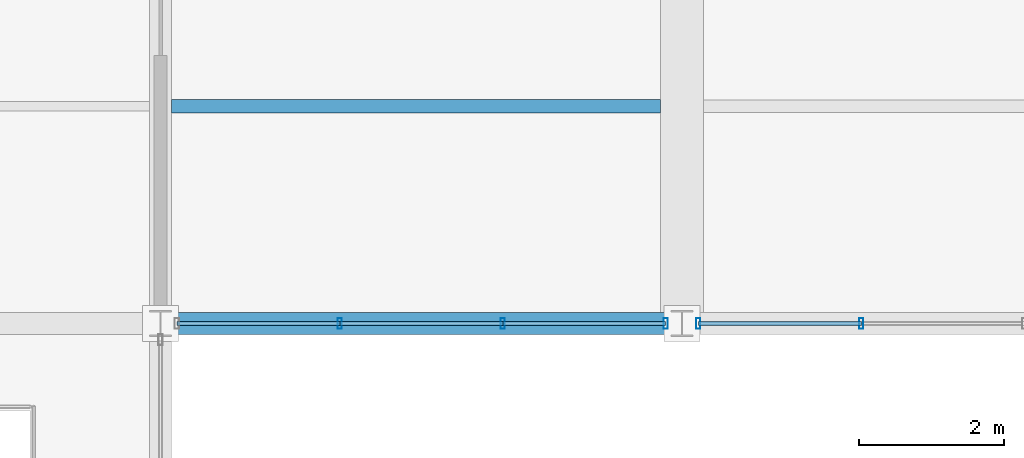
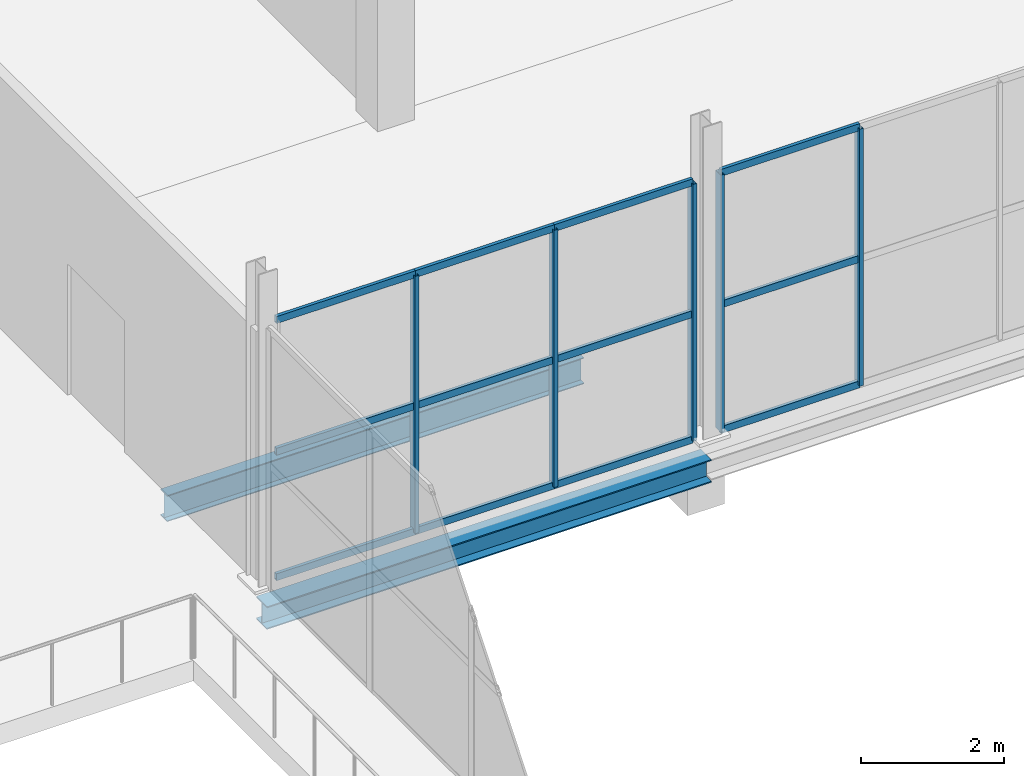
# One storey, part 42 of 141: 17 members, 2 beams, 2 elements without a shape of their own.
"""IFC4 building model written with IfcOpenShell, lengths in metres."""

from ifc_helpers import new_model, si_unit, direction, frame, origin, origin_2d, place, context, subcontext, project, spatial, hollow_rectangle, i_section, extrude, material, layer, layer_set, material_profile, profile_set, type_object, element, aggregate, save


model = new_model("IFC4")

# Units and contexts
model_context = context("Model", 3, precision=1e-05, world=origin(), true_north=direction((0.0, 1.0)))
body_context = subcontext(model_context, "Body", "Model", "MODEL_VIEW")
ifc_project = project(units=[si_unit("LENGTHUNIT", "METRE"), si_unit("AREAUNIT", "SQUARE_METRE"), si_unit("VOLUMEUNIT", "CUBIC_METRE"), si_unit("PLANEANGLEUNIT", "RADIAN"), si_unit("MASSUNIT", "GRAM", prefix="KILO")], contexts=[model_context])

# Site, building, storey
site_placement = place(None, origin())
site = spatial("IfcSite", under=ifc_project, at=site_placement, CompositionType="ELEMENT")
building_placement = place(site_placement, origin())
building = spatial("IfcBuilding", under=site, at=building_placement, Name="Sundgate Opera House", CompositionType="ELEMENT")
storey_placement = place(building_placement, frame((0.0, 0.0, 11.39990234375)))
storey = spatial("IfcBuildingStorey", under=building, at=storey_placement, Name="L02", CompositionType="ELEMENT", Elevation=11.39990234375)

# Beams
ifc_material_1 = material(Name="Steel S355J2", Category="steel")
ifc_material_profile_1 = material_profile(ifc_material_1, i_section(OverallWidth=0.300048828125, OverallDepth=0.389892578125, WebThickness=0.010986328125, FlangeThickness=0.01904296875, at=origin_2d()), Name="HEA 400")
ifc_profile_set_1 = profile_set([ifc_material_profile_1], Name="Steel S355J2")
beam_type_1 = type_object("IfcBeamType", Name="BM-GR-HEA400", PredefinedType="BEAM", material=ifc_profile_set_1)
beam_1_placement = place(storey_placement, frame((117.0, 60.0, -0.544921875), z_axis=(1.0, 0.0, 0.0), x_axis=(0.0, 1.0, 0.0)))
element("IfcBeam", 1, at=beam_1_placement, inside=storey, type_object=beam_type_1, Name="L02 Primary E-W Girder B2028", PredefinedType="BEAM", context=body_context, shape_type="SweptSolid", body=[
    extrude(i_section(OverallWidth=0.300048828125, OverallDepth=0.389892578125, WebThickness=0.010986328125, FlangeThickness=0.01904296875, at=origin_2d()), origin(), (0.0, 0.0, 1.0), 7.199951171875),
])
ifc_material_2 = material(Name="Steel S355J2", Category="steel")
ifc_material_profile_2 = material_profile(ifc_material_2, i_section(OverallWidth=0.18994140625, OverallDepth=0.449951171875, WebThickness=0.009521484375, FlangeThickness=0.0146484375, at=origin_2d()), Name="IPE 450")
ifc_profile_set_2 = profile_set([ifc_material_profile_2], Name="Steel S355J2")
beam_type_2 = type_object("IfcBeamType", Name="BM-JS-IPE450", PredefinedType="JOIST", material=ifc_profile_set_2)
beam_2_placement = place(storey_placement, frame((117.14990234375, 63.0, -0.574951171875), z_axis=(1.0, 0.0, 0.0), x_axis=(0.0, 1.0, 0.0)))
element("IfcBeam", 2, at=beam_2_placement, inside=storey, type_object=beam_type_2, Name="L02 Secondary Floor Joist B2269", PredefinedType="JOIST", context=body_context, shape_type="SweptSolid", body=[
    extrude(i_section(OverallWidth=0.18994140625, OverallDepth=0.449951171875, WebThickness=0.009521484375, FlangeThickness=0.0146484375, at=origin_2d()), origin(), (0.0, 0.0, 1.0), 6.75),
])

# Curtain wall, members
ifc_material_3 = material(Name="Anodized aluminium and low-iron glass", Category="aluminium")
ifc_layer = layer(ifc_material_3, 0.159912109375)
ifc_layer_set = layer_set([ifc_layer], Name="Anodized aluminium and low-iron glass")
curtain_wall_type = type_object("IfcCurtainWallType", Name="CW-STUDIO-DARK", PredefinedType="NOTDEFINED", material=ifc_layer_set)
curtain_wall_1_placement = place(storey_placement, origin())
curtain_wall_1 = element("IfcCurtainWall", 3, at=curtain_wall_1_placement, inside=storey, type_object=curtain_wall_type, Name="L02 Curtain Wall CW071", PredefinedType="NOTDEFINED")
ifc_material_4 = material(Name="Anodized aluminium EN AW-6063", Category="aluminium")
ifc_material_profile_3 = material_profile(ifc_material_4, hollow_rectangle(XDim=0.06005859375, YDim=0.14990234375, WallThickness=0.00390625, at=origin_2d()), Name="CWM 150x60x4")
ifc_profile_set_3 = profile_set([ifc_material_profile_3], Name="Anodized aluminium EN AW-6063")
member_type_1 = type_object("IfcMemberType", Name="CWM-ALU-150x60", PredefinedType="MULLION", material=ifc_profile_set_3)
member_1_placement = place(storey_placement, frame((123.97509765625, 60.0, 0.0), z_axis=(0.0, 0.0, 1.0), x_axis=(1.0, 0.0, 0.0)))
member_1 = element("IfcMember", 4, at=member_1_placement, type_object=member_type_1, Name="CW071 Mullion 1", PredefinedType="MULLION", context=body_context, shape_type="SweptSolid", body=[
    extrude(hollow_rectangle(XDim=0.06005859375, YDim=0.14990234375, WallThickness=0.00390625, at=origin_2d()), origin(), (0.0, 0.0, 1.0), 4.405029296875),
])
member_2_placement = place(storey_placement, frame((121.72509765625, 60.0, 0.0), z_axis=(0.0, 0.0, 1.0), x_axis=(1.0, 0.0, 0.0)))
member_2 = element("IfcMember", 5, at=member_2_placement, type_object=member_type_1, Name="CW071 Mullion 2", PredefinedType="MULLION", context=body_context, shape_type="SweptSolid", body=[
    extrude(hollow_rectangle(XDim=0.06005859375, YDim=0.14990234375, WallThickness=0.00390625, at=origin_2d()), origin(), (0.0, 0.0, 1.0), 4.405029296875),
])
member_3_placement = place(storey_placement, frame((119.47509765625, 60.0, 0.0), z_axis=(0.0, 0.0, 1.0), x_axis=(1.0, 0.0, 0.0)))
member_3 = element("IfcMember", 6, at=member_3_placement, type_object=member_type_1, Name="CW071 Mullion 3", PredefinedType="MULLION", context=body_context, shape_type="SweptSolid", body=[
    extrude(hollow_rectangle(XDim=0.06005859375, YDim=0.14990234375, WallThickness=0.00390625, at=origin_2d()), origin(), (0.0, 0.0, 1.0), 4.405029296875),
])

curtain_wall_2_placement = place(storey_placement, origin())
curtain_wall_2 = element("IfcCurtainWall", 7, at=curtain_wall_2_placement, inside=storey, type_object=curtain_wall_type, Name="L02 Curtain Wall CW073", PredefinedType="NOTDEFINED")
member_4_placement = place(storey_placement, frame((126.675048828125, 60.0, 0.0), z_axis=(0.0, 0.0, 1.0), x_axis=(1.0, 0.0, 0.0)))
member_4 = element("IfcMember", 8, at=member_4_placement, type_object=member_type_1, Name="CW073 Mullion 3", PredefinedType="MULLION", context=body_context, shape_type="SweptSolid", body=[
    extrude(hollow_rectangle(XDim=0.06005859375, YDim=0.14990234375, WallThickness=0.00390625, at=origin_2d()), origin(), (0.0, 0.0, 1.0), 4.405029296875),
])
member_5_placement = place(storey_placement, frame((124.425048828125, 60.0, 0.0), z_axis=(0.0, 0.0, 1.0), x_axis=(1.0, 0.0, 0.0)))
member_5 = element("IfcMember", 9, at=member_5_placement, type_object=member_type_1, Name="CW073 Mullion 4", PredefinedType="MULLION", context=body_context, shape_type="SweptSolid", body=[
    extrude(hollow_rectangle(XDim=0.06005859375, YDim=0.14990234375, WallThickness=0.00390625, at=origin_2d()), origin(), (0.0, 0.0, 1.0), 4.405029296875),
])

# Member
ifc_material_5 = material(Name="Anodized aluminium EN AW-6063", Category="aluminium")
ifc_material_profile_4 = material_profile(ifc_material_5, hollow_rectangle(XDim=0.054931640625, YDim=0.1201171875, WallThickness=0.00390625, at=origin_2d()), Name="CWT 120x55x4")
ifc_profile_set_4 = profile_set([ifc_material_profile_4], Name="Anodized aluminium EN AW-6063")
member_type_2 = type_object("IfcMemberType", Name="CWT-ALU-120x55", PredefinedType="USERDEFINED", material=ifc_profile_set_4)
member_6_placement = place(storey_placement, frame((123.97509765625, 60.0, 0.0), z_axis=(-1.0, 0.0, 0.0), x_axis=(0.0, -1.0, 0.0)))
member_6 = element("IfcMember", 10, at=member_6_placement, type_object=member_type_2, Name="CW071 Transom 1", ObjectType="TRANSOM", PredefinedType="USERDEFINED", context=body_context, shape_type="SweptSolid", body=[
    extrude(hollow_rectangle(XDim=0.054931640625, YDim=0.1201171875, WallThickness=0.00390625, at=origin_2d()), origin(), (0.0, 0.0, 1.0), 2.25),
])

member_7_placement = place(storey_placement, frame((123.97509765625, 60.0, 2.150146484375), z_axis=(-1.0, 0.0, 0.0), x_axis=(0.0, -1.0, 0.0)))
member_7 = element("IfcMember", 11, at=member_7_placement, type_object=member_type_2, Name="CW071 Transom 2", ObjectType="TRANSOM", PredefinedType="USERDEFINED", context=body_context, shape_type="SweptSolid", body=[
    extrude(hollow_rectangle(XDim=0.054931640625, YDim=0.1201171875, WallThickness=0.00390625, at=origin_2d()), origin(), (0.0, 0.0, 1.0), 2.25),
])

member_8_placement = place(storey_placement, frame((123.97509765625, 60.0, 4.405029296875), z_axis=(-1.0, 0.0, 0.0), x_axis=(0.0, -1.0, 0.0)))
member_8 = element("IfcMember", 12, at=member_8_placement, type_object=member_type_2, Name="CW071 Transom 3", ObjectType="TRANSOM", PredefinedType="USERDEFINED", context=body_context, shape_type="SweptSolid", body=[
    extrude(hollow_rectangle(XDim=0.054931640625, YDim=0.1201171875, WallThickness=0.00390625, at=origin_2d()), origin(), (0.0, 0.0, 1.0), 2.25),
])

member_9_placement = place(storey_placement, frame((121.72509765625, 60.0, 0.0), z_axis=(-1.0, 0.0, 0.0), x_axis=(0.0, -1.0, 0.0)))
member_9 = element("IfcMember", 13, at=member_9_placement, type_object=member_type_2, Name="CW071 Transom 4", ObjectType="TRANSOM", PredefinedType="USERDEFINED", context=body_context, shape_type="SweptSolid", body=[
    extrude(hollow_rectangle(XDim=0.054931640625, YDim=0.1201171875, WallThickness=0.00390625, at=origin_2d()), origin(), (0.0, 0.0, 1.0), 2.25),
])

member_10_placement = place(storey_placement, frame((121.72509765625, 60.0, 2.150146484375), z_axis=(-1.0, 0.0, 0.0), x_axis=(0.0, -1.0, 0.0)))
member_10 = element("IfcMember", 14, at=member_10_placement, type_object=member_type_2, Name="CW071 Transom 5", ObjectType="TRANSOM", PredefinedType="USERDEFINED", context=body_context, shape_type="SweptSolid", body=[
    extrude(hollow_rectangle(XDim=0.054931640625, YDim=0.1201171875, WallThickness=0.00390625, at=origin_2d()), origin(), (0.0, 0.0, 1.0), 2.25),
])

member_11_placement = place(storey_placement, frame((121.72509765625, 60.0, 4.405029296875), z_axis=(-1.0, 0.0, 0.0), x_axis=(0.0, -1.0, 0.0)))
member_11 = element("IfcMember", 15, at=member_11_placement, type_object=member_type_2, Name="CW071 Transom 6", ObjectType="TRANSOM", PredefinedType="USERDEFINED", context=body_context, shape_type="SweptSolid", body=[
    extrude(hollow_rectangle(XDim=0.054931640625, YDim=0.1201171875, WallThickness=0.00390625, at=origin_2d()), origin(), (0.0, 0.0, 1.0), 2.25),
])

member_12_placement = place(storey_placement, frame((119.47509765625, 60.0, 0.0), z_axis=(-1.0, 0.0, 0.0), x_axis=(0.0, -1.0, 0.0)))
member_12 = element("IfcMember", 16, at=member_12_placement, type_object=member_type_2, Name="CW071 Transom 7", ObjectType="TRANSOM", PredefinedType="USERDEFINED", context=body_context, shape_type="SweptSolid", body=[
    extrude(hollow_rectangle(XDim=0.054931640625, YDim=0.1201171875, WallThickness=0.00390625, at=origin_2d()), origin(), (0.0, 0.0, 1.0), 2.25),
])

member_13_placement = place(storey_placement, frame((119.47509765625, 60.0, 2.150146484375), z_axis=(-1.0, 0.0, 0.0), x_axis=(0.0, -1.0, 0.0)))
member_13 = element("IfcMember", 17, at=member_13_placement, type_object=member_type_2, Name="CW071 Transom 8", ObjectType="TRANSOM", PredefinedType="USERDEFINED", context=body_context, shape_type="SweptSolid", body=[
    extrude(hollow_rectangle(XDim=0.054931640625, YDim=0.1201171875, WallThickness=0.00390625, at=origin_2d()), origin(), (0.0, 0.0, 1.0), 2.25),
])

member_14_placement = place(storey_placement, frame((119.47509765625, 60.0, 4.405029296875), z_axis=(-1.0, 0.0, 0.0), x_axis=(0.0, -1.0, 0.0)))
member_14 = element("IfcMember", 18, at=member_14_placement, type_object=member_type_2, Name="CW071 Transom 9", ObjectType="TRANSOM", PredefinedType="USERDEFINED", context=body_context, shape_type="SweptSolid", body=[
    extrude(hollow_rectangle(XDim=0.054931640625, YDim=0.1201171875, WallThickness=0.00390625, at=origin_2d()), origin(), (0.0, 0.0, 1.0), 2.25),
])

aggregate(curtain_wall_1, [member_1, member_2, member_3, member_6, member_7, member_8, member_9, member_10, member_11, member_12, member_13, member_14])

member_15_placement = place(storey_placement, frame((126.675048828125, 60.0, 0.0), z_axis=(-1.0, 0.0, 0.0), x_axis=(0.0, -1.0, 0.0)))
member_15 = element("IfcMember", 19, at=member_15_placement, type_object=member_type_2, Name="CW073 Transom 7", ObjectType="TRANSOM", PredefinedType="USERDEFINED", context=body_context, shape_type="SweptSolid", body=[
    extrude(hollow_rectangle(XDim=0.054931640625, YDim=0.1201171875, WallThickness=0.00390625, at=origin_2d()), origin(), (0.0, 0.0, 1.0), 2.25),
])

member_16_placement = place(storey_placement, frame((126.675048828125, 60.0, 2.150146484375), z_axis=(-1.0, 0.0, 0.0), x_axis=(0.0, -1.0, 0.0)))
member_16 = element("IfcMember", 20, at=member_16_placement, type_object=member_type_2, Name="CW073 Transom 8", ObjectType="TRANSOM", PredefinedType="USERDEFINED", context=body_context, shape_type="SweptSolid", body=[
    extrude(hollow_rectangle(XDim=0.054931640625, YDim=0.1201171875, WallThickness=0.00390625, at=origin_2d()), origin(), (0.0, 0.0, 1.0), 2.25),
])

member_17_placement = place(storey_placement, frame((126.675048828125, 60.0, 4.405029296875), z_axis=(-1.0, 0.0, 0.0), x_axis=(0.0, -1.0, 0.0)))
member_17 = element("IfcMember", 21, at=member_17_placement, type_object=member_type_2, Name="CW073 Transom 9", ObjectType="TRANSOM", PredefinedType="USERDEFINED", context=body_context, shape_type="SweptSolid", body=[
    extrude(hollow_rectangle(XDim=0.054931640625, YDim=0.1201171875, WallThickness=0.00390625, at=origin_2d()), origin(), (0.0, 0.0, 1.0), 2.25),
])

aggregate(curtain_wall_2, [member_4, member_5, member_15, member_16, member_17])

save(model, "model.ifc")
